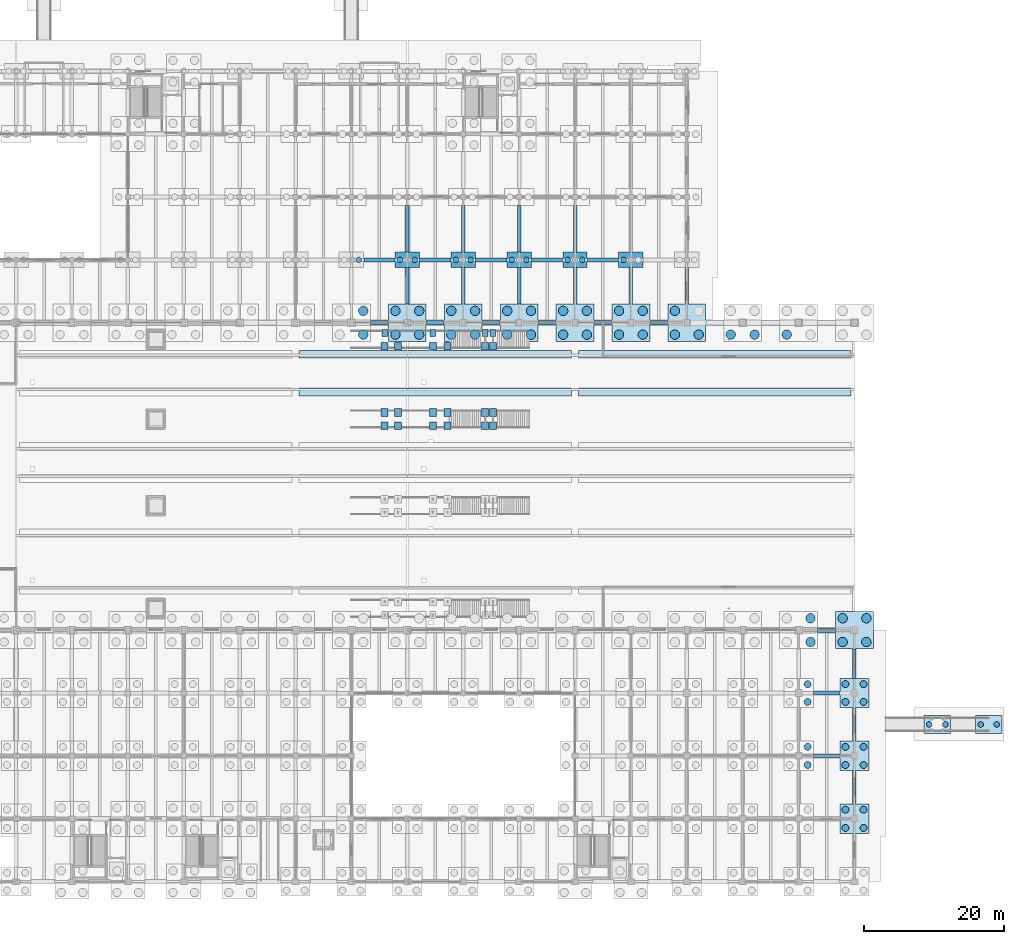
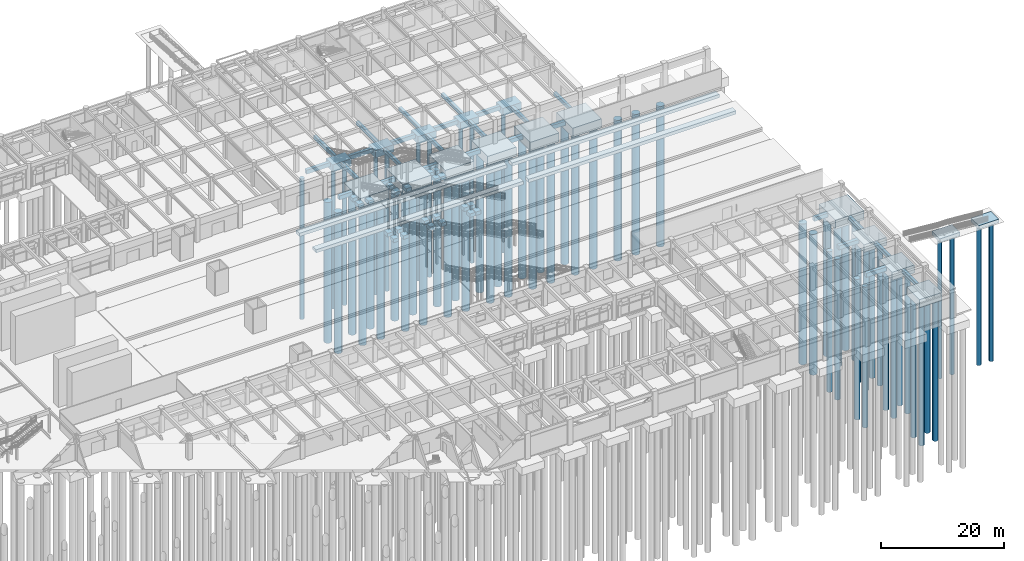
# One storey, part 9 of 147: 70 footings, 64 piles.
"""IFC4 building model written with IfcOpenShell, lengths in metres."""

from ifc_helpers import new_model, si_unit, direction, frame, origin, origin_2d, place, context, subcontext, project, spatial, rectangle, circle, extrude, material, layer, layer_set, material_profile, profile_set, type_object, element, save


model = new_model("IFC4")

# Units and contexts
model_context = context("Model", 3, precision=1e-05, world=origin(), true_north=direction((0.0, 1.0)))
body_context = subcontext(model_context, "Body", "Model", "MODEL_VIEW")
ifc_project = project(units=[si_unit("LENGTHUNIT", "METRE"), si_unit("AREAUNIT", "SQUARE_METRE"), si_unit("VOLUMEUNIT", "CUBIC_METRE"), si_unit("PLANEANGLEUNIT", "RADIAN"), si_unit("MASSUNIT", "GRAM", prefix="KILO")], contexts=[model_context])

# Site, building, storey
site_placement = place(None, origin())
site = spatial("IfcSite", under=ifc_project, at=site_placement, CompositionType="ELEMENT")
building_placement = place(site_placement, origin())
building = spatial("IfcBuilding", under=site, at=building_placement, Name="Varnabhumi Central Station", CompositionType="ELEMENT")
storey_placement = place(building_placement, origin())
storey = spatial("IfcBuildingStorey", under=building, at=storey_placement, Name="L00", CompositionType="ELEMENT", Elevation=0.0)

# Footings
ifc_material_1 = material(Name="Concrete M40", Category="concrete")
ifc_layer_1 = layer(ifc_material_1, 1.39990234375, Name="Concrete M40", Category="concrete")
ifc_layer_set_1 = layer_set([ifc_layer_1], Name="Concrete M40")
footing_type_1 = type_object("IfcFootingType", Name="CAP-CANOPY", PredefinedType="PILE_CAP", material=ifc_layer_set_1)
for number, where, z_axis, x_axis, name in (
    (1, (203.199951171875, 22.5, -1.75), (0.0, 0.0, 1.0), (1.0, 0.0, 0.0), "RMP-WS-1 Toe Pile Cap"),
    (2, (195.85009765625, 22.5, -1.7998046875), (0.0, 0.0, 1.0), (1.0, 0.0, 0.0), "RMP-WS-1 Landing Pile Cap"),
):
    element("IfcFooting", number, at=place(storey_placement, frame(where, z_axis=z_axis, x_axis=x_axis)), inside=storey, type_object=footing_type_1, Name=name, PredefinedType="PILE_CAP", context=body_context, shape_type="SweptSolid", body=[
        extrude(rectangle(XDim=3.800048828125, YDim=2.60009765625, at=origin_2d()), origin(), (0.0, 0.0, 1.0), 0.699951171875),
    ])
ifc_layer_2 = layer(ifc_material_1, 1.449951171875, Name="Concrete M40", Category="concrete")
ifc_layer_set_2 = layer_set([ifc_layer_2], Name="Concrete M40")
footing_type_2 = type_object("IfcFootingType", Name="CAP-NORTH-PER", PredefinedType="PILE_CAP", material=ifc_layer_set_2)
for number, where, z_axis, x_axis, name in (
    (3, (120.0, 89.0, -1.75), (0.0, 0.0, 1.0), (1.0, 0.0, 0.0), "Pile Cap 16-L"),
    (4, (128.0, 89.0, -1.75), (0.0, 0.0, 1.0), (1.0, 0.0, 0.0), "Pile Cap 17-L"),
    (5, (136.0, 89.0, -1.75), (0.0, 0.0, 1.0), (1.0, 0.0, 0.0), "Pile Cap 18-L"),
    (6, (144.0, 89.0, -1.75), (0.0, 0.0, 1.0), (1.0, 0.0, 0.0), "Pile Cap 19-L"),
    (7, (152.0, 89.0, -1.75), (0.0, 0.0, 1.0), (1.0, 0.0, 0.0), "Pile Cap 20-L"),
):
    element("IfcFooting", number, at=place(storey_placement, frame(where, z_axis=z_axis, x_axis=x_axis)), inside=storey, type_object=footing_type_2, Name=name, PredefinedType="PILE_CAP", context=body_context, shape_type="SweptSolid", body=[
        extrude(rectangle(XDim=3.5, YDim=2.199951171875, at=origin_2d()), origin(), (0.0, 0.0, 1.0), 1.449951171875),
    ])
ifc_layer_3 = layer(ifc_material_1, 1.60009765625, Name="Concrete M40", Category="concrete")
ifc_layer_set_3 = layer_set([ifc_layer_3], Name="Concrete M40")
footing_type_3 = type_object("IfcFootingType", Name="CAP-SOUTH-INT", PredefinedType="PILE_CAP", material=ifc_layer_set_3)
for number, where, z_axis, x_axis, name in (
    (8, (184.0, 9.0, -1.900146484375), (0.0, 0.0, 1.0), (1.0, 0.0, 0.0), "Pile Cap 24-B"),
    (9, (184.0, 18.0, -1.900146484375), (0.0, 0.0, 1.0), (1.0, 0.0, 0.0), "Pile Cap 24-C"),
):
    element("IfcFooting", number, at=place(storey_placement, frame(where, z_axis=z_axis, x_axis=x_axis)), inside=storey, type_object=footing_type_3, Name=name, PredefinedType="PILE_CAP", context=body_context, shape_type="SweptSolid", body=[
        extrude(rectangle(XDim=4.199951171875, YDim=4.199951171875, at=origin_2d()), origin(), (0.0, 0.0, 1.0), 1.60009765625),
    ])
ifc_layer_4 = layer(ifc_material_1, 1.550048828125, Name="Concrete M40", Category="concrete")
ifc_layer_set_4 = layer_set([ifc_layer_4], Name="Concrete M40")
footing_type_4 = type_object("IfcFootingType", Name="CAP-SOUTH-PER", PredefinedType="PILE_CAP", material=ifc_layer_set_4)
footing_1_placement = place(storey_placement, frame((184.0, 27.0, -1.85009765625), z_axis=(0.0, 0.0, 1.0), x_axis=(1.0, 0.0, 0.0)))
element("IfcFooting", 10, at=footing_1_placement, inside=storey, type_object=footing_type_4, Name="Pile Cap 24-D", PredefinedType="PILE_CAP", context=body_context, shape_type="SweptSolid", body=[
    extrude(rectangle(XDim=4.199951171875, YDim=4.10009765625, at=origin_2d()), origin(), (0.0, 0.0, 1.0), 1.550048828125),
])
ifc_layer_5 = layer(ifc_material_1, 1.800048828125, Name="Concrete M40", Category="concrete")
ifc_layer_set_5 = layer_set([ifc_layer_5], Name="Concrete M40")
footing_type_5 = type_object("IfcFootingType", Name="CAP-SPINE-HVY", PredefinedType="PILE_CAP", material=ifc_layer_set_5)
for number, where, z_axis, x_axis, name in (
    (11, (120.0, 80.0, -2.10009765625), (0.0, 0.0, 1.0), (1.0, 0.0, 0.0), "Pile Cap 16-K"),
    (12, (128.0, 80.0, -2.10009765625), (0.0, 0.0, 1.0), (1.0, 0.0, 0.0), "Pile Cap 17-K"),
    (13, (136.0, 80.0, -2.10009765625), (0.0, 0.0, 1.0), (1.0, 0.0, 0.0), "Pile Cap 18-K"),
    (14, (144.0, 80.0, -2.10009765625), (0.0, 0.0, 1.0), (1.0, 0.0, 0.0), "Pile Cap 19-K"),
    (15, (152.0, 80.0, -2.10009765625), (0.0, 0.0, 1.0), (1.0, 0.0, 0.0), "Pile Cap 20-K"),
    (16, (160.0, 80.0, -2.10009765625), (0.0, 0.0, 1.0), (1.0, 0.0, 0.0), "Pile Cap 21-K"),
    (17, (184.0, 36.0, -2.10009765625), (0.0, 0.0, 1.0), (1.0, 0.0, 0.0), "Pile Cap 24-E"),
):
    element("IfcFooting", number, at=place(storey_placement, frame(where, z_axis=z_axis, x_axis=x_axis)), inside=storey, type_object=footing_type_5, Name=name, PredefinedType="PILE_CAP", context=body_context, shape_type="SweptSolid", body=[
        extrude(rectangle(XDim=5.39990234375, YDim=5.300048828125, at=origin_2d()), origin(), (0.0, 0.0, 1.0), 1.800048828125),
    ])
footing_type_6 = type_object("IfcFootingType", Name="FTG-STRIP-PLAT", PredefinedType="STRIP_FOOTING", material=ifc_material_1)
for number, where, z_axis, x_axis, name in (
    (18, (124.0, 70.10009765625, -1.905029296875), (0.0, 0.0, 1.0), (1.0, 0.0, 0.0), "Platform Strip Footing PLAT-3-2-1"),
    (19, (164.0, 70.10009765625, -1.905029296875), (0.0, 0.0, 1.0), (1.0, 0.0, 0.0), "Platform Strip Footing PLAT-3-2-2"),
    (20, (124.0, 75.5, -1.905029296875), (0.0, 0.0, 1.0), (1.0, 0.0, 0.0), "Platform Strip Footing PLAT-4-1-1"),
    (21, (164.0, 75.5, -1.905029296875), (0.0, 0.0, 1.0), (1.0, 0.0, 0.0), "Platform Strip Footing PLAT-4-1-2"),
):
    element("IfcFooting", number, at=place(storey_placement, frame(where, z_axis=z_axis, x_axis=x_axis)), inside=storey, type_object=footing_type_6, Name=name, PredefinedType="STRIP_FOOTING", context=body_context, shape_type="SweptSolid", body=[
        extrude(rectangle(XDim=39.0, YDim=1.10009765625, at=origin_2d()), origin(), (0.0, 0.0, 1.0), 0.64990234375),
    ])
for number, where, z_axis, x_axis, name in (
    (22, (131.14990234375, 65.25, -1.0498046875), (0.0, 0.0, 1.0), (1.0, 0.0, 0.0), "Stair Post Footing P3-p3_l0mid-1S"),
    (23, (131.14990234375, 67.14990234375, -1.0498046875), (0.0, 0.0, 1.0), (1.0, 0.0, 0.0), "Stair Post Footing P3-p3_l0mid-1N"),
    (24, (132.25, 65.25, -1.0498046875), (0.0, 0.0, 1.0), (1.0, 0.0, 0.0), "Stair Post Footing P3-p3_l0mid-2S"),
    (25, (132.25, 67.14990234375, -1.0498046875), (0.0, 0.0, 1.0), (1.0, 0.0, 0.0), "Stair Post Footing P3-p3_l0mid-2N"),
    (26, (123.64990234375, 65.25, -1.0498046875), (0.0, 0.0, 1.0), (1.0, 0.0, 0.0), "Stair Post Footing P3-p3_l1xfer-1S"),
    (27, (123.64990234375, 67.14990234375, -1.0498046875), (0.0, 0.0, 1.0), (1.0, 0.0, 0.0), "Stair Post Footing P3-p3_l1xfer-1N"),
    (28, (125.75, 65.25, -1.0498046875), (0.0, 0.0, 1.0), (1.0, 0.0, 0.0), "Stair Post Footing P3-p3_l1xfer-2S"),
    (29, (125.75, 67.14990234375, -1.0498046875), (0.0, 0.0, 1.0), (1.0, 0.0, 0.0), "Stair Post Footing P3-p3_l1xfer-2N"),
    (30, (116.75, 65.25, -1.0498046875), (0.0, 0.0, 1.0), (1.0, 0.0, 0.0), "Stair Post Footing P3-p3_l1mid-1S"),
    (31, (116.75, 67.14990234375, -1.0498046875), (0.0, 0.0, 1.0), (1.0, 0.0, 0.0), "Stair Post Footing P3-p3_l1mid-1N"),
    (32, (118.64990234375, 65.25, -1.0498046875), (0.0, 0.0, 1.0), (1.0, 0.0, 0.0), "Stair Post Footing P3-p3_l1mid-2S"),
    (33, (118.64990234375, 67.14990234375, -1.0498046875), (0.0, 0.0, 1.0), (1.0, 0.0, 0.0), "Stair Post Footing P3-p3_l1mid-2N"),
    (34, (131.14990234375, 76.64990234375, -1.0498046875), (0.0, 0.0, 1.0), (1.0, 0.0, 0.0), "Stair Post Footing P4-p4_l0mid-1S"),
):
    element("IfcFooting", number, at=place(storey_placement, frame(where, z_axis=z_axis, x_axis=x_axis)), inside=storey, type_object=footing_type_6, Name=name, PredefinedType="STRIP_FOOTING", context=body_context, shape_type="SweptSolid", body=[
        extrude(rectangle(XDim=1.0, YDim=1.10009765625, at=origin_2d()), origin(), (0.0, 0.0, 1.0), 0.699951171875),
    ])
footing_2_placement = place(storey_placement, frame((131.14990234375, 78.550048828125, -1.0498046875), z_axis=(0.0, 0.0, 1.0), x_axis=(1.0, 0.0, 0.0)))
element("IfcFooting", 35, at=footing_2_placement, inside=storey, type_object=footing_type_6, Name="Stair Post Footing P4-p4_l0mid-1N", PredefinedType="STRIP_FOOTING", context=body_context, shape_type="SweptSolid", body=[
    extrude(rectangle(XDim=0.800048828125, YDim=1.0, at=origin_2d()), origin(), (0.0, 0.0, 1.0), 0.699951171875),
])
footing_3_placement = place(storey_placement, frame((132.25, 76.64990234375, -1.0498046875), z_axis=(0.0, 0.0, 1.0), x_axis=(1.0, 0.0, 0.0)))
element("IfcFooting", 36, at=footing_3_placement, inside=storey, type_object=footing_type_6, Name="Stair Post Footing P4-p4_l0mid-2S", PredefinedType="STRIP_FOOTING", context=body_context, shape_type="SweptSolid", body=[
    extrude(rectangle(XDim=1.0, YDim=1.10009765625, at=origin_2d()), origin(), (0.0, 0.0, 1.0), 0.699951171875),
])
footing_4_placement = place(storey_placement, frame((132.25, 78.550048828125, -1.0498046875), z_axis=(0.0, 0.0, 1.0), x_axis=(1.0, 0.0, 0.0)))
element("IfcFooting", 37, at=footing_4_placement, inside=storey, type_object=footing_type_6, Name="Stair Post Footing P4-p4_l0mid-2N", PredefinedType="STRIP_FOOTING", context=body_context, shape_type="SweptSolid", body=[
    extrude(rectangle(XDim=0.800048828125, YDim=1.0, at=origin_2d()), origin(), (0.0, 0.0, 1.0), 0.699951171875),
])
footing_5_placement = place(storey_placement, frame((123.64990234375, 76.64990234375, -1.0498046875), z_axis=(0.0, 0.0, 1.0), x_axis=(1.0, 0.0, 0.0)))
element("IfcFooting", 38, at=footing_5_placement, inside=storey, type_object=footing_type_6, Name="Stair Post Footing P4-p4_l1xfer-1S", PredefinedType="STRIP_FOOTING", context=body_context, shape_type="SweptSolid", body=[
    extrude(rectangle(XDim=1.0, YDim=1.10009765625, at=origin_2d()), origin(), (0.0, 0.0, 1.0), 0.699951171875),
])
footing_6_placement = place(storey_placement, frame((123.64990234375, 78.550048828125, -1.0498046875), z_axis=(0.0, 0.0, 1.0), x_axis=(1.0, 0.0, 0.0)))
element("IfcFooting", 39, at=footing_6_placement, inside=storey, type_object=footing_type_6, Name="Stair Post Footing P4-p4_l1xfer-1N", PredefinedType="STRIP_FOOTING", context=body_context, shape_type="SweptSolid", body=[
    extrude(rectangle(XDim=0.800048828125, YDim=1.0, at=origin_2d()), origin(), (0.0, 0.0, 1.0), 0.699951171875),
])
for number, where, z_axis, x_axis, name in (
    (40, (125.75, 76.64990234375, -1.0498046875), (0.0, 0.0, 1.0), (1.0, 0.0, 0.0), "Stair Post Footing P4-p4_l1xfer-2S"),
    (41, (116.75, 76.64990234375, -1.0498046875), (0.0, 0.0, 1.0), (1.0, 0.0, 0.0), "Stair Post Footing P4-p4_l1mid-1S"),
):
    element("IfcFooting", number, at=place(storey_placement, frame(where, z_axis=z_axis, x_axis=x_axis)), inside=storey, type_object=footing_type_6, Name=name, PredefinedType="STRIP_FOOTING", context=body_context, shape_type="SweptSolid", body=[
        extrude(rectangle(XDim=1.0, YDim=1.10009765625, at=origin_2d()), origin(), (0.0, 0.0, 1.0), 0.699951171875),
    ])
footing_7_placement = place(storey_placement, frame((116.75, 78.550048828125, -1.0498046875), z_axis=(0.0, 0.0, 1.0), x_axis=(1.0, 0.0, 0.0)))
element("IfcFooting", 42, at=footing_7_placement, inside=storey, type_object=footing_type_6, Name="Stair Post Footing P4-p4_l1mid-1N", PredefinedType="STRIP_FOOTING", context=body_context, shape_type="SweptSolid", body=[
    extrude(rectangle(XDim=0.800048828125, YDim=1.0, at=origin_2d()), origin(), (0.0, 0.0, 1.0), 0.699951171875),
])
footing_8_placement = place(storey_placement, frame((118.64990234375, 76.64990234375, -1.0498046875), z_axis=(0.0, 0.0, 1.0), x_axis=(1.0, 0.0, 0.0)))
element("IfcFooting", 43, at=footing_8_placement, inside=storey, type_object=footing_type_6, Name="Stair Post Footing P4-p4_l1mid-2S", PredefinedType="STRIP_FOOTING", context=body_context, shape_type="SweptSolid", body=[
    extrude(rectangle(XDim=1.0, YDim=1.10009765625, at=origin_2d()), origin(), (0.0, 0.0, 1.0), 0.699951171875),
])
footing_type_7 = type_object("IfcFootingType", Name="FTG-TIE-500x700", PredefinedType="FOOTING_BEAM", material=ifc_material_1)
footing_9_placement = place(storey_placement, frame((120.0, 85.27490234375, -1.0), z_axis=(0.0, 0.0, 1.0), x_axis=(1.0, 0.0, 0.0)))
element("IfcFooting", 44, at=footing_9_placement, inside=storey, type_object=footing_type_7, Name="Plinth Tie Beam 16:K-L", PredefinedType="FOOTING_BEAM", context=body_context, shape_type="SweptSolid", body=[
    extrude(rectangle(XDim=0.5, YDim=5.2099609375, at=origin_2d()), origin(), (0.0, 0.0, 1.0), 0.699951171875),
])
footing_10_placement = place(storey_placement, frame((120.0, 93.449951171875, -1.0), z_axis=(0.0, 0.0, 1.0), x_axis=(1.0, 0.0, 0.0)))
element("IfcFooting", 45, at=footing_10_placement, inside=storey, type_object=footing_type_7, Name="Plinth Tie Beam 16:L-M", PredefinedType="FOOTING_BEAM", context=body_context, shape_type="SweptSolid", body=[
    extrude(rectangle(XDim=0.5, YDim=6.659912109375, at=origin_2d()), origin(), (0.0, 0.0, 1.0), 0.699951171875),
])
footing_11_placement = place(storey_placement, frame((128.0, 85.27490234375, -1.0), z_axis=(0.0, 0.0, 1.0), x_axis=(1.0, 0.0, 0.0)))
element("IfcFooting", 46, at=footing_11_placement, inside=storey, type_object=footing_type_7, Name="Plinth Tie Beam 17:K-L", PredefinedType="FOOTING_BEAM", context=body_context, shape_type="SweptSolid", body=[
    extrude(rectangle(XDim=0.5, YDim=5.2099609375, at=origin_2d()), origin(), (0.0, 0.0, 1.0), 0.699951171875),
])
footing_12_placement = place(storey_placement, frame((128.0, 93.449951171875, -1.0), z_axis=(0.0, 0.0, 1.0), x_axis=(1.0, 0.0, 0.0)))
element("IfcFooting", 47, at=footing_12_placement, inside=storey, type_object=footing_type_7, Name="Plinth Tie Beam 17:L-M", PredefinedType="FOOTING_BEAM", context=body_context, shape_type="SweptSolid", body=[
    extrude(rectangle(XDim=0.5, YDim=6.659912109375, at=origin_2d()), origin(), (0.0, 0.0, 1.0), 0.699951171875),
])
footing_13_placement = place(storey_placement, frame((136.0, 85.27490234375, -1.0), z_axis=(0.0, 0.0, 1.0), x_axis=(1.0, 0.0, 0.0)))
element("IfcFooting", 48, at=footing_13_placement, inside=storey, type_object=footing_type_7, Name="Plinth Tie Beam 18:K-L", PredefinedType="FOOTING_BEAM", context=body_context, shape_type="SweptSolid", body=[
    extrude(rectangle(XDim=0.5, YDim=5.2099609375, at=origin_2d()), origin(), (0.0, 0.0, 1.0), 0.699951171875),
])
footing_14_placement = place(storey_placement, frame((136.0, 93.449951171875, -1.0), z_axis=(0.0, 0.0, 1.0), x_axis=(1.0, 0.0, 0.0)))
element("IfcFooting", 49, at=footing_14_placement, inside=storey, type_object=footing_type_7, Name="Plinth Tie Beam 18:L-M", PredefinedType="FOOTING_BEAM", context=body_context, shape_type="SweptSolid", body=[
    extrude(rectangle(XDim=0.5, YDim=6.659912109375, at=origin_2d()), origin(), (0.0, 0.0, 1.0), 0.699951171875),
])
footing_15_placement = place(storey_placement, frame((144.0, 85.27490234375, -1.0), z_axis=(0.0, 0.0, 1.0), x_axis=(1.0, 0.0, 0.0)))
element("IfcFooting", 50, at=footing_15_placement, inside=storey, type_object=footing_type_7, Name="Plinth Tie Beam 19:K-L", PredefinedType="FOOTING_BEAM", context=body_context, shape_type="SweptSolid", body=[
    extrude(rectangle(XDim=0.5, YDim=5.2099609375, at=origin_2d()), origin(), (0.0, 0.0, 1.0), 0.699951171875),
])
footing_16_placement = place(storey_placement, frame((144.0, 93.449951171875, -1.0), z_axis=(0.0, 0.0, 1.0), x_axis=(1.0, 0.0, 0.0)))
element("IfcFooting", 51, at=footing_16_placement, inside=storey, type_object=footing_type_7, Name="Plinth Tie Beam 19:L-M", PredefinedType="FOOTING_BEAM", context=body_context, shape_type="SweptSolid", body=[
    extrude(rectangle(XDim=0.5, YDim=6.659912109375, at=origin_2d()), origin(), (0.0, 0.0, 1.0), 0.699951171875),
])
for number, where, z_axis, x_axis, name in (
    (52, (152.0, 85.27490234375, -1.0), (0.0, 0.0, 1.0), (1.0, 0.0, 0.0), "Plinth Tie Beam 20:K-L"),
    (53, (160.0, 85.27490234375, -1.0), (0.0, 0.0, 1.0), (1.0, 0.0, 0.0), "Plinth Tie Beam 21:K-L"),
):
    element("IfcFooting", number, at=place(storey_placement, frame(where, z_axis=z_axis, x_axis=x_axis)), inside=storey, type_object=footing_type_7, Name=name, PredefinedType="FOOTING_BEAM", context=body_context, shape_type="SweptSolid", body=[
        extrude(rectangle(XDim=0.5, YDim=5.2099609375, at=origin_2d()), origin(), (0.0, 0.0, 1.0), 0.699951171875),
    ])
footing_17_placement = place(storey_placement, frame((184.0, 13.5, -1.0), z_axis=(0.0, 0.0, 1.0), x_axis=(1.0, 0.0, 0.0)))
element("IfcFooting", 54, at=footing_17_placement, inside=storey, type_object=footing_type_7, Name="Plinth Tie Beam 24:B-C", PredefinedType="FOOTING_BEAM", context=body_context, shape_type="SweptSolid", body=[
    extrude(rectangle(XDim=0.5, YDim=4.760009765625, at=origin_2d()), origin(), (0.0, 0.0, 1.0), 0.699951171875),
])
footing_18_placement = place(storey_placement, frame((184.0, 22.52490234375, -1.0), z_axis=(0.0, 0.0, 1.0), x_axis=(1.0, 0.0, 0.0)))
element("IfcFooting", 55, at=footing_18_placement, inside=storey, type_object=footing_type_7, Name="Plinth Tie Beam 24:C-D", PredefinedType="FOOTING_BEAM", context=body_context, shape_type="SweptSolid", body=[
    extrude(rectangle(XDim=0.5, YDim=4.81005859375, at=origin_2d()), origin(), (0.0, 0.0, 1.0), 0.699951171875),
])
footing_19_placement = place(storey_placement, frame((184.0, 31.199951171875, -1.0), z_axis=(0.0, 0.0, 1.0), x_axis=(1.0, 0.0, 0.0)))
element("IfcFooting", 56, at=footing_19_placement, inside=storey, type_object=footing_type_7, Name="Plinth Tie Beam 24:D-E", PredefinedType="FOOTING_BEAM", context=body_context, shape_type="SweptSolid", body=[
    extrude(rectangle(XDim=0.5, YDim=4.260009765625, at=origin_2d()), origin(), (0.0, 0.0, 1.0), 0.699951171875),
])
footing_type_8 = type_object("IfcFootingType", Name="FTG-TIE-600x800", PredefinedType="FOOTING_BEAM", material=ifc_material_1)
footing_20_placement = place(storey_placement, frame((116.0, 80.0, -1.10009765625), z_axis=(0.0, 0.0, 1.0), x_axis=(1.0, 0.0, 0.0)))
element("IfcFooting", 57, at=footing_20_placement, inside=storey, type_object=footing_type_8, Name="Plinth Tie Beam K:15-16", PredefinedType="FOOTING_BEAM", context=body_context, shape_type="SweptSolid", body=[
    extrude(rectangle(XDim=2.56005859375, YDim=0.60009765625, at=origin_2d()), origin(), (0.0, 0.0, 1.0), 0.800048828125),
])
footing_21_placement = place(storey_placement, frame((116.0, 89.0, -1.10009765625), z_axis=(0.0, 0.0, 1.0), x_axis=(1.0, 0.0, 0.0)))
element("IfcFooting", 58, at=footing_21_placement, inside=storey, type_object=footing_type_8, Name="Plinth Tie Beam L:15-16", PredefinedType="FOOTING_BEAM", context=body_context, shape_type="SweptSolid", body=[
    extrude(rectangle(XDim=4.4599609375, YDim=0.60009765625, at=origin_2d()), origin(), (0.0, 0.0, 1.0), 0.800048828125),
])
footing_22_placement = place(storey_placement, frame((124.0, 80.0, -1.10009765625), z_axis=(0.0, 0.0, 1.0), x_axis=(1.0, 0.0, 0.0)))
element("IfcFooting", 59, at=footing_22_placement, inside=storey, type_object=footing_type_8, Name="Plinth Tie Beam K:16-17", PredefinedType="FOOTING_BEAM", context=body_context, shape_type="SweptSolid", body=[
    extrude(rectangle(XDim=2.56005859375, YDim=0.60009765625, at=origin_2d()), origin(), (0.0, 0.0, 1.0), 0.800048828125),
])
footing_23_placement = place(storey_placement, frame((124.0, 89.0, -1.10009765625), z_axis=(0.0, 0.0, 1.0), x_axis=(1.0, 0.0, 0.0)))
element("IfcFooting", 60, at=footing_23_placement, inside=storey, type_object=footing_type_8, Name="Plinth Tie Beam L:16-17", PredefinedType="FOOTING_BEAM", context=body_context, shape_type="SweptSolid", body=[
    extrude(rectangle(XDim=4.4599609375, YDim=0.60009765625, at=origin_2d()), origin(), (0.0, 0.0, 1.0), 0.800048828125),
])
footing_24_placement = place(storey_placement, frame((132.0, 80.0, -1.10009765625), z_axis=(0.0, 0.0, 1.0), x_axis=(1.0, 0.0, 0.0)))
element("IfcFooting", 61, at=footing_24_placement, inside=storey, type_object=footing_type_8, Name="Plinth Tie Beam K:17-18", PredefinedType="FOOTING_BEAM", context=body_context, shape_type="SweptSolid", body=[
    extrude(rectangle(XDim=2.56005859375, YDim=0.60009765625, at=origin_2d()), origin(), (0.0, 0.0, 1.0), 0.800048828125),
])
footing_25_placement = place(storey_placement, frame((132.0, 89.0, -1.10009765625), z_axis=(0.0, 0.0, 1.0), x_axis=(1.0, 0.0, 0.0)))
element("IfcFooting", 62, at=footing_25_placement, inside=storey, type_object=footing_type_8, Name="Plinth Tie Beam L:17-18", PredefinedType="FOOTING_BEAM", context=body_context, shape_type="SweptSolid", body=[
    extrude(rectangle(XDim=4.4599609375, YDim=0.60009765625, at=origin_2d()), origin(), (0.0, 0.0, 1.0), 0.800048828125),
])
footing_26_placement = place(storey_placement, frame((140.0, 80.0, -1.10009765625), z_axis=(0.0, 0.0, 1.0), x_axis=(1.0, 0.0, 0.0)))
element("IfcFooting", 63, at=footing_26_placement, inside=storey, type_object=footing_type_8, Name="Plinth Tie Beam K:18-19", PredefinedType="FOOTING_BEAM", context=body_context, shape_type="SweptSolid", body=[
    extrude(rectangle(XDim=2.56005859375, YDim=0.60009765625, at=origin_2d()), origin(), (0.0, 0.0, 1.0), 0.800048828125),
])
footing_27_placement = place(storey_placement, frame((140.0, 89.0, -1.10009765625), z_axis=(0.0, 0.0, 1.0), x_axis=(1.0, 0.0, 0.0)))
element("IfcFooting", 64, at=footing_27_placement, inside=storey, type_object=footing_type_8, Name="Plinth Tie Beam L:18-19", PredefinedType="FOOTING_BEAM", context=body_context, shape_type="SweptSolid", body=[
    extrude(rectangle(XDim=4.4599609375, YDim=0.60009765625, at=origin_2d()), origin(), (0.0, 0.0, 1.0), 0.800048828125),
])
footing_28_placement = place(storey_placement, frame((148.0, 80.0, -1.10009765625), z_axis=(0.0, 0.0, 1.0), x_axis=(1.0, 0.0, 0.0)))
element("IfcFooting", 65, at=footing_28_placement, inside=storey, type_object=footing_type_8, Name="Plinth Tie Beam K:19-20", PredefinedType="FOOTING_BEAM", context=body_context, shape_type="SweptSolid", body=[
    extrude(rectangle(XDim=2.56005859375, YDim=0.60009765625, at=origin_2d()), origin(), (0.0, 0.0, 1.0), 0.800048828125),
])
footing_29_placement = place(storey_placement, frame((148.0, 89.0, -1.10009765625), z_axis=(0.0, 0.0, 1.0), x_axis=(1.0, 0.0, 0.0)))
element("IfcFooting", 66, at=footing_29_placement, inside=storey, type_object=footing_type_8, Name="Plinth Tie Beam L:19-20", PredefinedType="FOOTING_BEAM", context=body_context, shape_type="SweptSolid", body=[
    extrude(rectangle(XDim=4.4599609375, YDim=0.60009765625, at=origin_2d()), origin(), (0.0, 0.0, 1.0), 0.800048828125),
])
footing_30_placement = place(storey_placement, frame((156.0, 80.0, -1.10009765625), z_axis=(0.0, 0.0, 1.0), x_axis=(1.0, 0.0, 0.0)))
element("IfcFooting", 67, at=footing_30_placement, inside=storey, type_object=footing_type_8, Name="Plinth Tie Beam K:20-21", PredefinedType="FOOTING_BEAM", context=body_context, shape_type="SweptSolid", body=[
    extrude(rectangle(XDim=2.56005859375, YDim=0.60009765625, at=origin_2d()), origin(), (0.0, 0.0, 1.0), 0.800048828125),
])
for number, where, z_axis, x_axis, name in (
    (68, (180.0, 18.0, -1.10009765625), (0.0, 0.0, 1.0), (1.0, 0.0, 0.0), "Plinth Tie Beam C:23-24"),
    (69, (180.0, 27.0, -1.10009765625), (0.0, 0.0, 1.0), (1.0, 0.0, 0.0), "Plinth Tie Beam D:23-24"),
):
    element("IfcFooting", number, at=place(storey_placement, frame(where, z_axis=z_axis, x_axis=x_axis)), inside=storey, type_object=footing_type_8, Name=name, PredefinedType="FOOTING_BEAM", context=body_context, shape_type="SweptSolid", body=[
        extrude(rectangle(XDim=3.760009765625, YDim=0.60009765625, at=origin_2d()), origin(), (0.0, 0.0, 1.0), 0.800048828125),
    ])
footing_31_placement = place(storey_placement, frame((180.0, 36.0, -1.10009765625), z_axis=(0.0, 0.0, 1.0), x_axis=(1.0, 0.0, 0.0)))
element("IfcFooting", 70, at=footing_31_placement, inside=storey, type_object=footing_type_8, Name="Plinth Tie Beam E:23-24", PredefinedType="FOOTING_BEAM", context=body_context, shape_type="SweptSolid", body=[
    extrude(rectangle(XDim=2.56005859375, YDim=0.60009765625, at=origin_2d()), origin(), (0.0, 0.0, 1.0), 0.800048828125),
])

# Piles
ifc_material_2 = material(Name="Concrete M35", Category="concrete")
ifc_material_profile_1 = material_profile(ifc_material_2, circle(Radius=0.5, at=origin_2d()), Name="Concrete M35", Category="concrete")
ifc_profile_set_1 = profile_set([ifc_material_profile_1], Name="Concrete M35")
pile_type_1 = type_object("IfcPileType", Name="PILE-D1000", PredefinedType="BORED", material=ifc_profile_set_1)
for number, where, z_axis, x_axis, name in (
    (71, (177.300048828125, 16.699951171875, -1.800048828125), (0.0, 0.0, -1.0), (1.0, 0.0, 0.0), "Bored Pile 23-C-P2"),
    (72, (177.300048828125, 19.300048828125, -1.800048828125), (0.0, 0.0, -1.0), (1.0, 0.0, 0.0), "Bored Pile 23-C-P4"),
    (73, (177.300048828125, 25.72998046875, -1.75), (0.0, 0.0, -1.0), (1.0, 0.0, 0.0), "Bored Pile 23-D-P2"),
    (74, (177.300048828125, 28.27001953125, -1.75), (0.0, 0.0, -1.0), (1.0, 0.0, 0.0), "Bored Pile 23-D-P4"),
    (75, (182.699951171875, 7.699951171875, -1.800048828125), (0.0, 0.0, -1.0), (1.0, 0.0, 0.0), "Bored Pile 24-B-P1"),
    (76, (185.300048828125, 7.699951171875, -1.800048828125), (0.0, 0.0, -1.0), (1.0, 0.0, 0.0), "Bored Pile 24-B-P2"),
    (77, (182.699951171875, 10.300048828125, -1.800048828125), (0.0, 0.0, -1.0), (1.0, 0.0, 0.0), "Bored Pile 24-B-P3"),
    (78, (185.300048828125, 10.300048828125, -1.800048828125), (0.0, 0.0, -1.0), (1.0, 0.0, 0.0), "Bored Pile 24-B-P4"),
    (79, (182.699951171875, 16.699951171875, -1.800048828125), (0.0, 0.0, -1.0), (1.0, 0.0, 0.0), "Bored Pile 24-C-P1"),
    (80, (185.300048828125, 16.699951171875, -1.800048828125), (0.0, 0.0, -1.0), (1.0, 0.0, 0.0), "Bored Pile 24-C-P2"),
    (81, (182.699951171875, 19.300048828125, -1.800048828125), (0.0, 0.0, -1.0), (1.0, 0.0, 0.0), "Bored Pile 24-C-P3"),
    (82, (185.300048828125, 19.300048828125, -1.800048828125), (0.0, 0.0, -1.0), (1.0, 0.0, 0.0), "Bored Pile 24-C-P4"),
    (83, (182.699951171875, 25.72998046875, -1.75), (0.0, 0.0, -1.0), (1.0, 0.0, 0.0), "Bored Pile 24-D-P1"),
    (84, (185.300048828125, 25.72998046875, -1.75), (0.0, 0.0, -1.0), (1.0, 0.0, 0.0), "Bored Pile 24-D-P2"),
    (85, (182.699951171875, 28.27001953125, -1.75), (0.0, 0.0, -1.0), (1.0, 0.0, 0.0), "Bored Pile 24-D-P3"),
    (86, (185.300048828125, 28.27001953125, -1.75), (0.0, 0.0, -1.0), (1.0, 0.0, 0.0), "Bored Pile 24-D-P4"),
):
    element("IfcPile", number, at=place(storey_placement, frame(where, z_axis=z_axis, x_axis=x_axis)), inside=storey, type_object=pile_type_1, Name=name, PredefinedType="BORED", context=body_context, shape_type="SweptSolid", body=[
        extrude(circle(Radius=0.5, at=origin_2d()), origin(), (0.0, 0.0, 1.0), 28.0),
    ])
ifc_material_profile_2 = material_profile(ifc_material_2, circle(Radius=0.675048828125, at=origin_2d()), Name="Concrete M35", Category="concrete")
ifc_profile_set_2 = profile_set([ifc_material_profile_2], Name="Concrete M35")
pile_type_2 = type_object("IfcPileType", Name="PILE-D1350", PredefinedType="BORED", material=ifc_profile_set_2)
for number, where, z_axis, x_axis, name in (
    (87, (113.699951171875, 78.300048828125, -2.0), (0.0, 0.0, -1.0), (1.0, 0.0, 0.0), "Bored Pile 15-K-P2"),
    (88, (113.699951171875, 81.699951171875, -2.0), (0.0, 0.0, -1.0), (1.0, 0.0, 0.0), "Bored Pile 15-K-P4"),
    (89, (118.300048828125, 78.300048828125, -2.0), (0.0, 0.0, -1.0), (1.0, 0.0, 0.0), "Bored Pile 16-K-P1"),
    (90, (121.699951171875, 78.300048828125, -2.0), (0.0, 0.0, -1.0), (1.0, 0.0, 0.0), "Bored Pile 16-K-P2"),
    (91, (118.300048828125, 81.699951171875, -2.0), (0.0, 0.0, -1.0), (1.0, 0.0, 0.0), "Bored Pile 16-K-P3"),
    (92, (121.699951171875, 81.699951171875, -2.0), (0.0, 0.0, -1.0), (1.0, 0.0, 0.0), "Bored Pile 16-K-P4"),
    (93, (126.300048828125, 78.300048828125, -2.0), (0.0, 0.0, -1.0), (1.0, 0.0, 0.0), "Bored Pile 17-K-P1"),
    (94, (129.699951171875, 78.300048828125, -2.0), (0.0, 0.0, -1.0), (1.0, 0.0, 0.0), "Bored Pile 17-K-P2"),
    (95, (126.300048828125, 81.699951171875, -2.0), (0.0, 0.0, -1.0), (1.0, 0.0, 0.0), "Bored Pile 17-K-P3"),
    (96, (129.699951171875, 81.699951171875, -2.0), (0.0, 0.0, -1.0), (1.0, 0.0, 0.0), "Bored Pile 17-K-P4"),
    (97, (134.300048828125, 78.300048828125, -2.0), (0.0, 0.0, -1.0), (1.0, 0.0, 0.0), "Bored Pile 18-K-P1"),
    (98, (137.699951171875, 78.300048828125, -2.0), (0.0, 0.0, -1.0), (1.0, 0.0, 0.0), "Bored Pile 18-K-P2"),
    (99, (134.300048828125, 81.699951171875, -2.0), (0.0, 0.0, -1.0), (1.0, 0.0, 0.0), "Bored Pile 18-K-P3"),
    (100, (137.699951171875, 81.699951171875, -2.0), (0.0, 0.0, -1.0), (1.0, 0.0, 0.0), "Bored Pile 18-K-P4"),
    (101, (142.300048828125, 78.300048828125, -2.0), (0.0, 0.0, -1.0), (1.0, 0.0, 0.0), "Bored Pile 19-K-P1"),
    (102, (145.699951171875, 78.300048828125, -2.0), (0.0, 0.0, -1.0), (1.0, 0.0, 0.0), "Bored Pile 19-K-P2"),
    (103, (142.300048828125, 81.699951171875, -2.0), (0.0, 0.0, -1.0), (1.0, 0.0, 0.0), "Bored Pile 19-K-P3"),
    (104, (145.699951171875, 81.699951171875, -2.0), (0.0, 0.0, -1.0), (1.0, 0.0, 0.0), "Bored Pile 19-K-P4"),
    (105, (150.300048828125, 78.300048828125, -2.0), (0.0, 0.0, -1.0), (1.0, 0.0, 0.0), "Bored Pile 20-K-P1"),
    (106, (153.699951171875, 78.300048828125, -2.0), (0.0, 0.0, -1.0), (1.0, 0.0, 0.0), "Bored Pile 20-K-P2"),
    (107, (150.300048828125, 81.699951171875, -2.0), (0.0, 0.0, -1.0), (1.0, 0.0, 0.0), "Bored Pile 20-K-P3"),
    (108, (153.699951171875, 81.699951171875, -2.0), (0.0, 0.0, -1.0), (1.0, 0.0, 0.0), "Bored Pile 20-K-P4"),
    (109, (158.300048828125, 78.300048828125, -2.0), (0.0, 0.0, -1.0), (1.0, 0.0, 0.0), "Bored Pile 21-K-P1"),
    (110, (161.699951171875, 78.300048828125, -2.0), (0.0, 0.0, -1.0), (1.0, 0.0, 0.0), "Bored Pile 21-K-P2"),
    (111, (158.300048828125, 81.699951171875, -2.0), (0.0, 0.0, -1.0), (1.0, 0.0, 0.0), "Bored Pile 21-K-P3"),
    (112, (166.300048828125, 78.300048828125, -2.0), (0.0, 0.0, -1.0), (1.0, 0.0, 0.0), "Bored Pile 22-K-P1"),
    (113, (169.699951171875, 78.300048828125, -2.0), (0.0, 0.0, -1.0), (1.0, 0.0, 0.0), "Bored Pile 22-K-P2"),
    (114, (177.699951171875, 34.300048828125, -2.0), (0.0, 0.0, -1.0), (1.0, 0.0, 0.0), "Bored Pile 23-E-P2"),
    (115, (177.699951171875, 37.699951171875, -2.0), (0.0, 0.0, -1.0), (1.0, 0.0, 0.0), "Bored Pile 23-E-P4"),
    (116, (174.300048828125, 78.300048828125, -2.0), (0.0, 0.0, -1.0), (1.0, 0.0, 0.0), "Bored Pile 23-K-P1"),
    (117, (182.300048828125, 34.300048828125, -2.0), (0.0, 0.0, -1.0), (1.0, 0.0, 0.0), "Bored Pile 24-E-P1"),
    (118, (185.699951171875, 34.300048828125, -2.0), (0.0, 0.0, -1.0), (1.0, 0.0, 0.0), "Bored Pile 24-E-P2"),
    (119, (182.300048828125, 37.699951171875, -2.0), (0.0, 0.0, -1.0), (1.0, 0.0, 0.0), "Bored Pile 24-E-P3"),
    (120, (185.699951171875, 37.699951171875, -2.0), (0.0, 0.0, -1.0), (1.0, 0.0, 0.0), "Bored Pile 24-E-P4"),
):
    element("IfcPile", number, at=place(storey_placement, frame(where, z_axis=z_axis, x_axis=x_axis)), inside=storey, type_object=pile_type_2, Name=name, PredefinedType="BORED", context=body_context, shape_type="SweptSolid", body=[
        extrude(circle(Radius=0.675048828125, at=origin_2d()), origin(), (0.0, 0.0, 1.0), 28.0),
    ])
ifc_material_profile_3 = material_profile(ifc_material_2, circle(Radius=0.39990234375, at=origin_2d()), Name="Concrete M35", Category="concrete")
ifc_profile_set_3 = profile_set([ifc_material_profile_3], Name="Concrete M35")
pile_type_3 = type_object("IfcPileType", Name="PILE-D800", PredefinedType="BORED", material=ifc_profile_set_3)
for number, where, z_axis, x_axis, name in (
    (121, (113.050048828125, 89.0, -1.64990234375), (0.0, 0.0, -1.0), (1.0, 0.0, 0.0), "Bored Pile 15-L-P2"),
    (122, (118.949951171875, 89.0, -1.64990234375), (0.0, 0.0, -1.0), (1.0, 0.0, 0.0), "Bored Pile 16-L-P1"),
    (123, (121.050048828125, 89.0, -1.64990234375), (0.0, 0.0, -1.0), (1.0, 0.0, 0.0), "Bored Pile 16-L-P2"),
    (124, (126.949951171875, 89.0, -1.64990234375), (0.0, 0.0, -1.0), (1.0, 0.0, 0.0), "Bored Pile 17-L-P1"),
    (125, (129.050048828125, 89.0, -1.64990234375), (0.0, 0.0, -1.0), (1.0, 0.0, 0.0), "Bored Pile 17-L-P2"),
    (126, (134.949951171875, 89.0, -1.64990234375), (0.0, 0.0, -1.0), (1.0, 0.0, 0.0), "Bored Pile 18-L-P1"),
    (127, (137.050048828125, 89.0, -1.64990234375), (0.0, 0.0, -1.0), (1.0, 0.0, 0.0), "Bored Pile 18-L-P2"),
    (128, (142.949951171875, 89.0, -1.64990234375), (0.0, 0.0, -1.0), (1.0, 0.0, 0.0), "Bored Pile 19-L-P1"),
    (129, (145.050048828125, 89.0, -1.64990234375), (0.0, 0.0, -1.0), (1.0, 0.0, 0.0), "Bored Pile 19-L-P2"),
    (130, (150.949951171875, 89.0, -1.64990234375), (0.0, 0.0, -1.0), (1.0, 0.0, 0.0), "Bored Pile 20-L-P1"),
    (131, (202.050048828125, 22.5, -1.64990234375), (0.0, 0.0, -1.0), (1.0, 0.0, 0.0), "Bored Pile RMP-WS-1-Toe-1"),
    (132, (204.35009765625, 22.5, -1.64990234375), (0.0, 0.0, -1.0), (1.0, 0.0, 0.0), "Bored Pile RMP-WS-1-Toe-2"),
    (133, (194.699951171875, 22.5, -1.699951171875), (0.0, 0.0, -1.0), (1.0, 0.0, 0.0), "Bored Pile RMP-WS-1-Land-1"),
    (134, (197.0, 22.5, -1.699951171875), (0.0, 0.0, -1.0), (1.0, 0.0, 0.0), "Bored Pile RMP-WS-1-Land-2"),
):
    element("IfcPile", number, at=place(storey_placement, frame(where, z_axis=z_axis, x_axis=x_axis)), inside=storey, type_object=pile_type_3, Name=name, PredefinedType="BORED", context=body_context, shape_type="SweptSolid", body=[
        extrude(circle(Radius=0.39990234375, at=origin_2d()), origin(), (0.0, 0.0, 1.0), 28.0),
    ])

save(model, "model.ifc")
